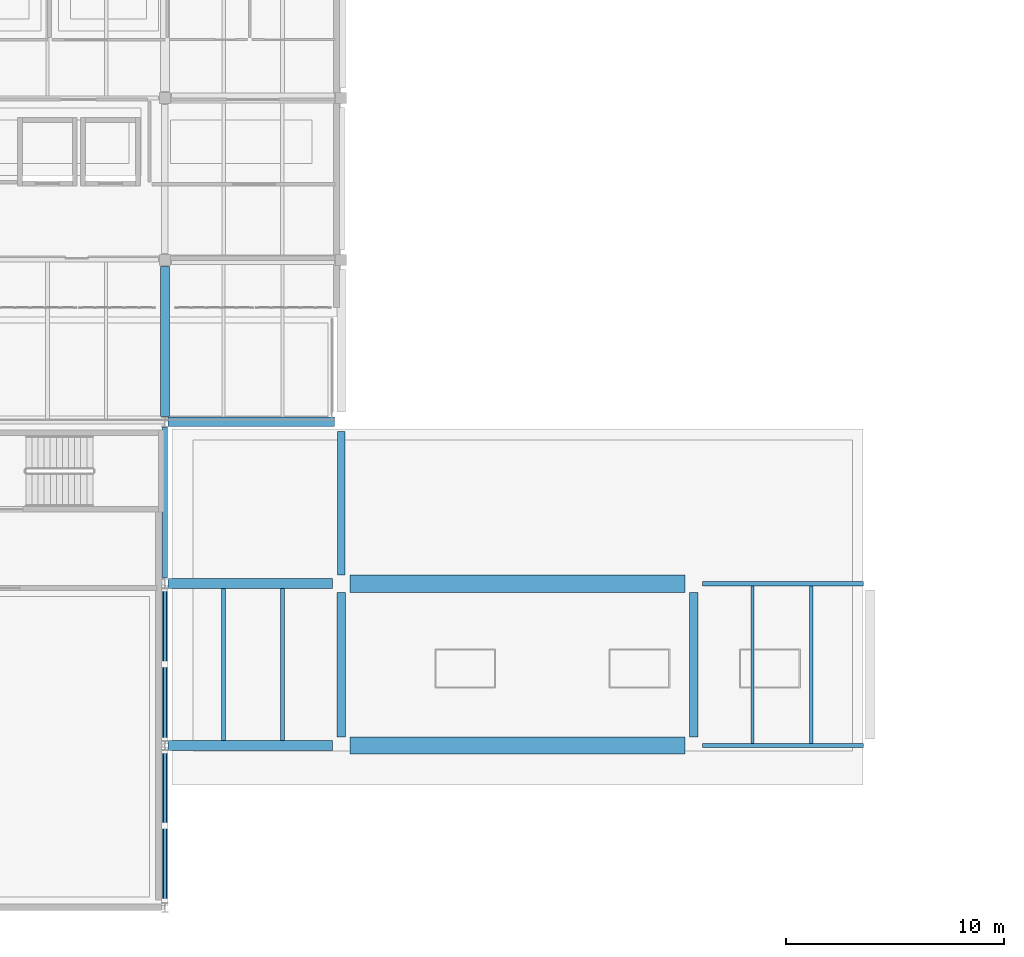
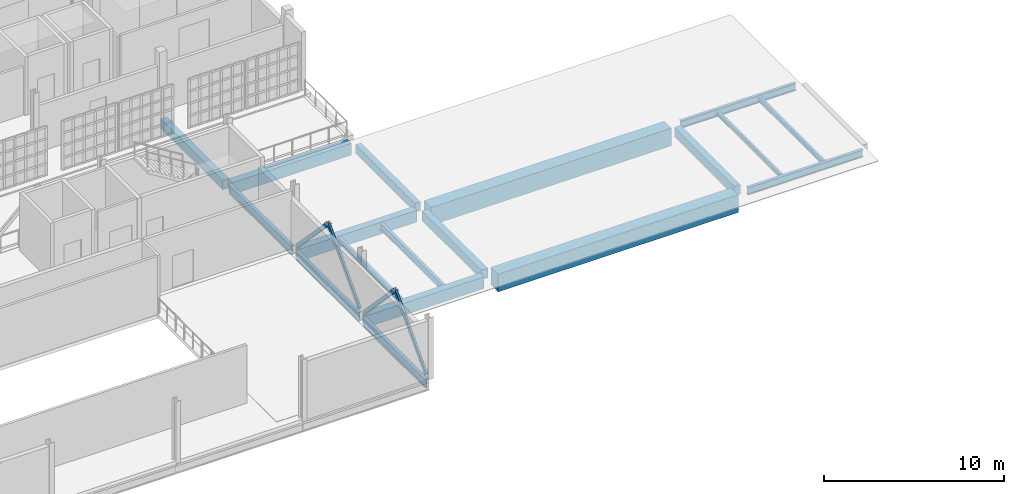
# One storey, part 8 of 25: 18 beams, 4 members.
"""IFC4 building model written with IfcOpenShell, lengths in metres."""

from ifc_helpers import new_model, si_unit, direction, frame, origin, origin_2d, place, context, subcontext, project, spatial, rectangle, hollow_rectangle, i_section, extrude, material, material_profile, profile_set, type_object, element, save


model = new_model("IFC4")

# Units and contexts
model_context = context("Model", 3, precision=1e-05, world=origin(), true_north=direction((0.0, 1.0)))
body_context = subcontext(model_context, "Body", "Model", "MODEL_VIEW")
ifc_project = project(units=[si_unit("LENGTHUNIT", "METRE"), si_unit("AREAUNIT", "SQUARE_METRE"), si_unit("VOLUMEUNIT", "CUBIC_METRE"), si_unit("PLANEANGLEUNIT", "RADIAN"), si_unit("MASSUNIT", "GRAM", prefix="KILO")], contexts=[model_context])

# Site, building, storey
site_placement = place(None, origin())
site = spatial("IfcSite", under=ifc_project, at=site_placement, CompositionType="ELEMENT")
building_placement = place(site_placement, origin())
building = spatial("IfcBuilding", under=site, at=building_placement, Name="Kaelora Sail Theatre", CompositionType="ELEMENT")
storey_placement = place(building_placement, frame((0.0, 0.0, 19.199951171875)))
storey = spatial("IfcBuildingStorey", under=building, at=storey_placement, Name="L04", CompositionType="ELEMENT", Elevation=19.199951171875)

# Beams
ifc_material_1 = material(Name="Steel S355", Category="steel")
ifc_material_profile_1 = material_profile(ifc_material_1, i_section(OverallWidth=0.18994140625, OverallDepth=0.449951171875, WebThickness=0.009521484375, FlangeThickness=0.0146484375, FilletRadius=0.02099609375, at=origin_2d()), Name="IPE 450")
ifc_profile_set_1 = profile_set([ifc_material_profile_1], Name="Steel S355")
beam_type_1 = type_object("IfcBeamType", Name="STR-BM-BM-IPE450", PredefinedType="BEAM", material=ifc_profile_set_1)
beam_1_placement = place(storey_placement, frame((63.60009765625, 68.68505859375, -0.47998046875), z_axis=(0.0, 1.0, 0.0), x_axis=(-1.0, 0.0, 0.0)))
element("IfcBeam", 1, at=beam_1_placement, inside=storey, type_object=beam_type_1, Name="Secondary floor joist 8/J-2 (L04)", PredefinedType="BEAM", context=body_context, shape_type="SweptSolid", body=[
    extrude(i_section(OverallWidth=0.18994140625, OverallDepth=0.449951171875, WebThickness=0.009521484375, FlangeThickness=0.0146484375, FilletRadius=0.02099609375, at=origin_2d()), origin(), (0.0, 0.0, 1.0), 6.989990234375),
])
ifc_material_2 = material(Name="Steel S355", Category="steel")
ifc_material_profile_2 = material_profile(ifc_material_2, i_section(OverallWidth=0.199951171875, OverallDepth=0.5, WebThickness=0.01025390625, FlangeThickness=0.01611328125, FilletRadius=0.02099609375, at=origin_2d()), Name="IPE 500")
ifc_profile_set_2 = profile_set([ifc_material_profile_2], Name="Steel S355")
beam_type_2 = type_object("IfcBeamType", Name="STR-BM-BM-IPE500", PredefinedType="BEAM", material=ifc_profile_set_2)
for number, where, z_axis, x_axis, name in (
    (2, (82.89990234375, 68.4599609375, -0.5048828125), (1.0, 0.0, 0.0), (0.0, 1.0, 0.0), "Primary beam J 11-12 (L04)"),
    (3, (82.89990234375, 75.89990234375, -0.5048828125), (1.0, 0.0, 0.0), (0.0, 1.0, 0.0), "Primary beam K 11-12 (L04)"),
):
    element("IfcBeam", number, at=place(storey_placement, frame(where, z_axis=z_axis, x_axis=x_axis)), inside=storey, type_object=beam_type_2, Name=name, PredefinedType="BEAM", context=body_context, shape_type="SweptSolid", body=[
        extrude(i_section(OverallWidth=0.199951171875, OverallDepth=0.5, WebThickness=0.01025390625, FlangeThickness=0.01611328125, FilletRadius=0.02099609375, at=origin_2d()), origin(), (0.0, 0.0, 1.0), 7.400146484375),
    ])
ifc_material_3 = material(Name="Steel S355", Category="steel")
ifc_material_profile_3 = material_profile(ifc_material_3, i_section(OverallWidth=0.219970703125, OverallDepth=0.60009765625, WebThickness=0.011962890625, FlangeThickness=0.01904296875, FilletRadius=0.02392578125, at=origin_2d()), Name="IPE 600")
ifc_profile_set_3 = profile_set([ifc_material_profile_3], Name="Steel S355")
beam_type_3 = type_object("IfcBeamType", Name="STR-BM-BM-IPE600", PredefinedType="USERDEFINED", material=ifc_profile_set_3)
for number, where, z_axis, x_axis, name in (
    (4, (58.199951171875, 61.27001953125, -0.554931640625), (0.0, 1.0, 0.0), (-1.0, 0.0, 0.0), "Primary beam 8 I-J (L04)"),
    (5, (58.199951171875, 68.7099609375, -0.554931640625), (0.0, 1.0, 0.0), (-1.0, 0.0, 0.0), "Primary beam 8 J-K (L04)"),
):
    element("IfcBeam", number, at=place(storey_placement, frame(where, z_axis=z_axis, x_axis=x_axis)), inside=storey, type_object=beam_type_3, Name=name, ObjectType="GIRDER", PredefinedType="USERDEFINED", context=body_context, shape_type="SweptSolid", body=[
        extrude(i_section(OverallWidth=0.219970703125, OverallDepth=0.60009765625, WebThickness=0.011962890625, FlangeThickness=0.01904296875, FilletRadius=0.02392578125, at=origin_2d()), origin(), (0.0, 0.0, 1.0), 6.93994140625),
    ])
beam_2_placement = place(storey_placement, frame((58.199951171875, 76.14990234375, -0.554931640625), z_axis=(0.0, 1.0, 0.0), x_axis=(-1.0, 0.0, 0.0)))
element("IfcBeam", 6, at=beam_2_placement, inside=storey, type_object=beam_type_3, Name="Primary beam 8 K-L (L04)", ObjectType="GIRDER", PredefinedType="USERDEFINED", context=body_context, shape_type="SweptSolid", body=[
    extrude(i_section(OverallWidth=0.219970703125, OverallDepth=0.60009765625, WebThickness=0.011962890625, FlangeThickness=0.01904296875, FilletRadius=0.02392578125, at=origin_2d()), origin(), (0.0, 0.0, 1.0), 6.940185546875),
])
ifc_material_4 = material(Name="Concrete C40/50", Category="concrete")
ifc_material_profile_4 = material_profile(ifc_material_4, rectangle(XDim=0.35009765625, YDim=0.60009765625, at=origin_2d()), Name="RC-BM 350x600")
ifc_profile_set_4 = profile_set([ifc_material_profile_4], Name="Concrete C40/50")
beam_type_4 = type_object("IfcBeamType", Name="STR-BM-BM-RC3560", PredefinedType="BEAM", material=ifc_profile_set_4)
beam_3_placement = place(storey_placement, frame((66.300048828125, 76.300048828125, -0.554931640625), z_axis=(0.0, 1.0, 0.0), x_axis=(-1.0, 0.0, 0.0)))
element("IfcBeam", 7, at=beam_3_placement, inside=storey, type_object=beam_type_4, Name="Primary beam 9 K-L (L04)", PredefinedType="BEAM", context=body_context, shape_type="SweptSolid", body=[
    extrude(rectangle(XDim=0.35009765625, YDim=0.60009765625, at=origin_2d()), origin(), (0.0, 0.0, 1.0), 6.58984375),
])
ifc_material_5 = material(Name="Concrete C40/50", Category="concrete")
ifc_material_profile_5 = material_profile(ifc_material_5, rectangle(XDim=0.39990234375, YDim=0.64990234375, at=origin_2d()), Name="RC-BM 400x650")
ifc_profile_set_5 = profile_set([ifc_material_profile_5], Name="Concrete C40/50")
beam_type_5 = type_object("IfcBeamType", Name="STR-BM-BM-RC4065", PredefinedType="BEAM", material=ifc_profile_set_5)
beam_4_placement = place(storey_placement, frame((58.199951171875, 83.590087890625, -0.579833984375), z_axis=(0.0, 1.0, 0.0), x_axis=(-1.0, 0.0, 0.0)))
element("IfcBeam", 8, at=beam_4_placement, inside=storey, type_object=beam_type_5, Name="Primary beam 8 L-M (L04)", PredefinedType="BEAM", context=body_context, shape_type="SweptSolid", body=[
    extrude(rectangle(XDim=0.39990234375, YDim=0.64990234375, at=origin_2d()), origin(), (0.0, 0.0, 1.0), 6.889892578125),
])
for number, where, z_axis, x_axis, name in (
    (9, (66.300048828125, 68.860107421875, -0.579833984375), (0.0, 1.0, 0.0), (-1.0, 0.0, 0.0), "Primary beam 9 J-K (L04)"),
    (10, (82.5, 68.860107421875, -0.579833984375), (0.0, 1.0, 0.0), (-1.0, 0.0, 0.0), "Primary beam 11 J-K (L04)"),
):
    element("IfcBeam", number, at=place(storey_placement, frame(where, z_axis=z_axis, x_axis=x_axis)), inside=storey, type_object=beam_type_5, Name=name, PredefinedType="BEAM", context=body_context, shape_type="SweptSolid", body=[
        extrude(rectangle(XDim=0.39990234375, YDim=0.64990234375, at=origin_2d()), origin(), (0.0, 0.0, 1.0), 6.639892578125),
    ])
ifc_material_6 = material(Name="Concrete C45/55", Category="concrete")
ifc_material_profile_6 = material_profile(ifc_material_6, rectangle(XDim=0.449951171875, YDim=0.800048828125, at=origin_2d()), Name="RC-BM 450x800")
ifc_profile_set_6 = profile_set([ifc_material_profile_6], Name="Concrete C45/55")
beam_type_6 = type_object("IfcBeamType", Name="STR-BM-BM-RC4580", PredefinedType="BEAM", material=ifc_profile_set_6)
for number, where, z_axis, x_axis, name in (
    (11, (58.35009765625, 68.4599609375, -0.655029296875), (1.0, 0.0, 0.0), (0.0, 1.0, 0.0), "Primary beam J 8-9 (L04)"),
    (12, (58.35009765625, 75.89990234375, -0.655029296875), (1.0, 0.0, 0.0), (0.0, 1.0, 0.0), "Primary beam K 8-9 (L04)"),
):
    element("IfcBeam", number, at=place(storey_placement, frame(where, z_axis=z_axis, x_axis=x_axis)), inside=storey, type_object=beam_type_6, Name=name, PredefinedType="BEAM", context=body_context, shape_type="SweptSolid", body=[
        extrude(rectangle(XDim=0.449951171875, YDim=0.800048828125, at=origin_2d()), origin(), (0.0, 0.0, 1.0), 7.5498046875),
    ])
beam_5_placement = place(storey_placement, frame((58.35009765625, 83.340087890625, -0.655029296875), z_axis=(1.0, 0.0, 0.0), x_axis=(0.0, 1.0, 0.0)))
element("IfcBeam", 13, at=beam_5_placement, inside=storey, type_object=beam_type_6, Name="Primary beam L 8-9 (L04)", PredefinedType="BEAM", context=body_context, shape_type="SweptSolid", body=[
    extrude(rectangle(XDim=0.449951171875, YDim=0.800048828125, at=origin_2d()), origin(), (0.0, 0.0, 1.0), 7.64990234375),
])
ifc_material_7 = material(Name="Steel S355", Category="steel")
ifc_material_profile_7 = material_profile(ifc_material_7, i_section(OverallWidth=0.14990234375, OverallDepth=0.300048828125, WebThickness=0.007080078125, FlangeThickness=0.0107421875, FilletRadius=0.014892578125, at=origin_2d()), Name="IPE 300")
ifc_profile_set_7 = profile_set([ifc_material_profile_7], Name="Steel S355")
beam_type_7 = type_object("IfcBeamType", Name="STR-BM-JS-IPE300", PredefinedType="JOIST", material=ifc_profile_set_7)
beam_6_placement = place(storey_placement, frame((85.199951171875, 68.56005859375, -0.405029296875), z_axis=(0.0, 1.0, 0.0), x_axis=(-1.0, 0.0, 0.0)))
element("IfcBeam", 14, at=beam_6_placement, inside=storey, type_object=beam_type_7, Name="Secondary floor joist 11/J-1 (L04)", PredefinedType="JOIST", context=body_context, shape_type="SweptSolid", body=[
    extrude(i_section(OverallWidth=0.14990234375, OverallDepth=0.300048828125, WebThickness=0.007080078125, FlangeThickness=0.0107421875, FilletRadius=0.014892578125, at=origin_2d()), origin(), (0.0, 0.0, 1.0), 7.239990234375),
])
ifc_material_8 = material(Name="Steel S355", Category="steel")
ifc_material_profile_8 = material_profile(ifc_material_8, i_section(OverallWidth=0.159912109375, OverallDepth=0.330078125, WebThickness=0.007568359375, FlangeThickness=0.011474609375, FilletRadius=0.01806640625, at=origin_2d()), Name="IPE 330")
ifc_profile_set_8 = profile_set([ifc_material_profile_8], Name="Steel S355")
beam_type_8 = type_object("IfcBeamType", Name="STR-BM-JS-IPE330", PredefinedType="JOIST", material=ifc_profile_set_8)
beam_7_placement = place(storey_placement, frame((87.89990234375, 68.56005859375, -0.419921875), z_axis=(0.0, 1.0, 0.0), x_axis=(-1.0, 0.0, 0.0)))
element("IfcBeam", 15, at=beam_7_placement, inside=storey, type_object=beam_type_8, Name="Secondary floor joist 11/J-2 (L04)", PredefinedType="JOIST", context=body_context, shape_type="SweptSolid", body=[
    extrude(i_section(OverallWidth=0.159912109375, OverallDepth=0.330078125, WebThickness=0.007568359375, FlangeThickness=0.011474609375, FilletRadius=0.01806640625, at=origin_2d()), origin(), (0.0, 0.0, 1.0), 7.239990234375),
])
ifc_material_9 = material(Name="Steel S355", Category="steel")
ifc_material_profile_9 = material_profile(ifc_material_9, i_section(OverallWidth=0.179931640625, OverallDepth=0.39990234375, WebThickness=0.008544921875, FlangeThickness=0.013427734375, FilletRadius=0.02099609375, at=origin_2d()), Name="IPE 400")
ifc_profile_set_9 = profile_set([ifc_material_profile_9], Name="Steel S355")
beam_type_9 = type_object("IfcBeamType", Name="STR-BM-JS-IPE400", PredefinedType="JOIST", material=ifc_profile_set_9)
beam_8_placement = place(storey_placement, frame((60.89990234375, 68.68505859375, -0.454833984375), z_axis=(0.0, 1.0, 0.0), x_axis=(-1.0, 0.0, 0.0)))
element("IfcBeam", 16, at=beam_8_placement, inside=storey, type_object=beam_type_9, Name="Secondary floor joist 8/J-1 (L04)", PredefinedType="JOIST", context=body_context, shape_type="SweptSolid", body=[
    extrude(i_section(OverallWidth=0.179931640625, OverallDepth=0.39990234375, WebThickness=0.008544921875, FlangeThickness=0.013427734375, FilletRadius=0.02099609375, at=origin_2d()), origin(), (0.0, 0.0, 1.0), 6.989990234375),
])
ifc_material_10 = material(Name="Concrete C50/60", Category="concrete")
ifc_material_profile_10 = material_profile(ifc_material_10, rectangle(XDim=0.800048828125, YDim=1.199951171875, at=origin_2d()), Name="RC-SRB 800x1200")
ifc_profile_set_10 = profile_set([ifc_material_profile_10], Name="Concrete C50/60")
beam_type_10 = type_object("IfcBeamType", Name="STR-BM-SRB-8012", PredefinedType="T_BEAM", material=ifc_profile_set_10)
for number, where, z_axis, x_axis, name in (
    (17, (66.699951171875, 68.4599609375, -0.85498046875), (1.0, 0.0, 0.0), (0.0, 1.0, 0.0), "Grand Foyer clear-span girder L04-J"),
    (18, (66.699951171875, 75.89990234375, -0.85498046875), (1.0, 0.0, 0.0), (0.0, 1.0, 0.0), "Grand Foyer clear-span girder L04-K"),
):
    element("IfcBeam", number, at=place(storey_placement, frame(where, z_axis=z_axis, x_axis=x_axis)), inside=storey, type_object=beam_type_10, Name=name, PredefinedType="T_BEAM", context=body_context, shape_type="SweptSolid", body=[
        extrude(rectangle(XDim=0.800048828125, YDim=1.199951171875, at=origin_2d()), origin(), (0.0, 0.0, 1.0), 15.400146484375),
    ])

# Members
ifc_material_11 = material(Name="Steel S355", Category="steel")
ifc_material_profile_11 = material_profile(ifc_material_11, hollow_rectangle(XDim=0.14990234375, YDim=0.25, WallThickness=0.010009765625, InnerFilletRadius=0.010009765625, OuterFilletRadius=0.02001953125, at=origin_2d()), Name="RHS 250x150x10.0")
ifc_profile_set_11 = profile_set([ifc_material_profile_11], Name="Steel S355")
member_type = type_object("IfcMemberType", Name="STR-MEM-BR-RHS250", PredefinedType="BRACE", material=ifc_profile_set_11)
member_1_placement = place(storey_placement, frame((58.199951171875, 61.280029296875, 0.02001953125), z_axis=(0.0, 0.690009780315, 0.723800043568), x_axis=(-1.0, 0.0, 0.0)))
element("IfcMember", 19, at=member_1_placement, inside=storey, type_object=member_type, Name="Fly Tower chevron brace L04 ES1", PredefinedType="BRACE", context=body_context, shape_type="SweptSolid", body=[
    extrude(hollow_rectangle(XDim=0.14990234375, YDim=0.25, WallThickness=0.010009765625, InnerFilletRadius=0.010009765625, OuterFilletRadius=0.02001953125, at=origin_2d()), origin(), (0.0, 0.0, 1.0), 5.035888671875),
])
member_2_placement = place(storey_placement, frame((58.199951171875, 68.22998046875, 0.02001953125), z_axis=(0.0, -0.690035176836, 0.723775831822), x_axis=(1.0, 0.0, 0.0)))
element("IfcMember", 20, at=member_2_placement, inside=storey, type_object=member_type, Name="Fly Tower chevron brace L04 ES2", PredefinedType="BRACE", context=body_context, shape_type="SweptSolid", body=[
    extrude(hollow_rectangle(XDim=0.14990234375, YDim=0.25, WallThickness=0.010009765625, InnerFilletRadius=0.010009765625, OuterFilletRadius=0.02001953125, at=origin_2d()), origin(), (0.0, 0.0, 1.0), 5.0361328125),
])
for number, where, z_axis, x_axis, name in (
    (21, (58.199951171875, 68.68994140625, 0.02001953125), (0.0, 0.691579554653, 0.722300297374), (-1.0, 0.0, 0.0), "Fly Tower chevron brace L04 EM1"),
    (22, (58.199951171875, 75.669921875, 0.02001953125), (0.0, -0.691579554653, 0.722300297374), (1.0, 0.0, 0.0), "Fly Tower chevron brace L04 EM2"),
):
    element("IfcMember", number, at=place(storey_placement, frame(where, z_axis=z_axis, x_axis=x_axis)), inside=storey, type_object=member_type, Name=name, PredefinedType="BRACE", context=body_context, shape_type="SweptSolid", body=[
        extrude(hollow_rectangle(XDim=0.14990234375, YDim=0.25, WallThickness=0.010009765625, InnerFilletRadius=0.010009765625, OuterFilletRadius=0.02001953125, at=origin_2d()), origin(), (0.0, 0.0, 1.0), 5.04638671875),
    ])

save(model, "model.ifc")
